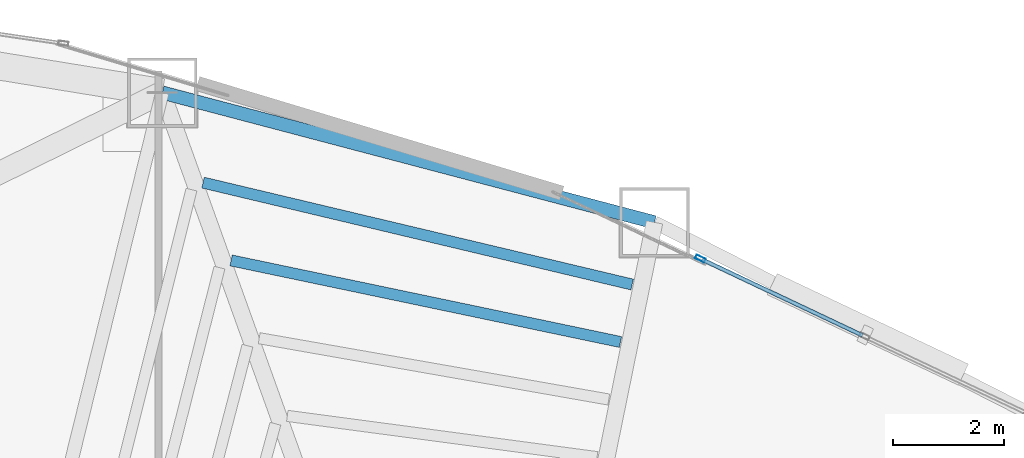
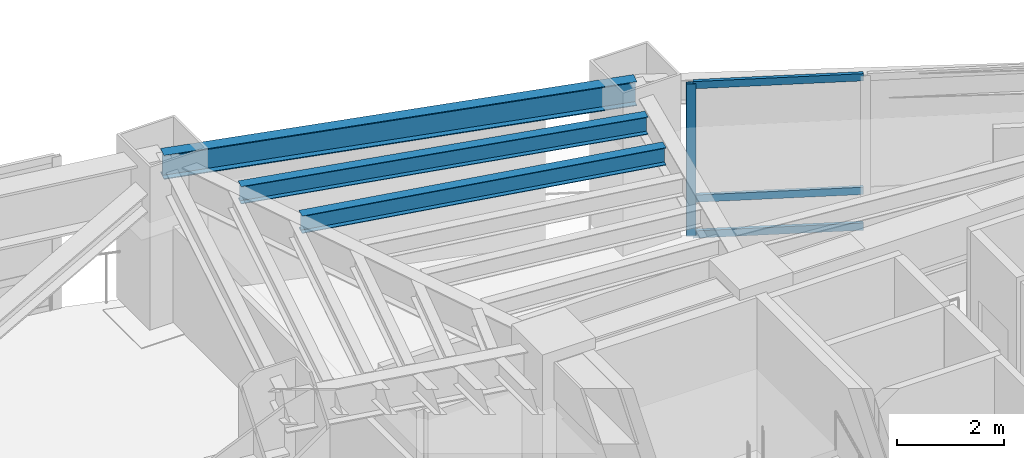
# One storey, part 15 of 23: 4 members, 3 beams, 1 element without a shape of its own.
"""IFC4 building model written with IfcOpenShell, lengths in metres."""

import ifcopenshell
import ifcopenshell.guid

model = None  # the IFC model being written
_history = None  # IfcOwnerHistory: only IFC2X3 demands one
_inside = {}  # id of a spatial element -> (the spatial element, [elements in it])
_under = {}  # id of a project, library or spatial element -> (it, [spatial elements below it])
_declared = {}  # id of a project -> (the project, [libraries it declares])
_typed = {}  # id of a type object -> (the type object, [elements of that type])
_made_of = {}  # id of a material, layer set ... -> (it, [elements and type objects made of it])


def new_model(schema):
    """Start an empty IFC model of exactly this schema.

    Asked for "IFC4X3", IfcOpenShell would pick the latest addendum, in which some entities
    have other attributes; the version numbers below select the first issue.
    IFC2X3 requires an IfcOwnerHistory on every rooted entity: one is made here for all.
    """
    global model, _history
    if schema == "IFC4X3":
        model = ifcopenshell.file(schema_version=(4, 3, 0, 0))
    else:
        model = ifcopenshell.file(schema=schema)
    _inside.clear()
    _under.clear()
    _declared.clear()
    _typed.clear()
    _made_of.clear()
    _history = None
    if model.schema == "IFC2X3":
        org = make("IfcOrganization", Name="unknown")
        user = make(
            "IfcPersonAndOrganization",
            ThePerson=make("IfcPerson", FamilyName="unknown"),
            TheOrganization=org,
        )
        app = make(
            "IfcApplication",
            ApplicationDeveloper=org,
            Version="unknown",
            ApplicationFullName="unknown",
            ApplicationIdentifier="unknown",
        )
        _history = make(
            "IfcOwnerHistory",
            OwningUser=user,
            OwningApplication=app,
            ChangeAction="ADDED",
            CreationDate=0,
        )
    return model


def make(cls, **values):
    """One entity of the class cls with the attributes given. An attribute that is None is left unset."""
    return model.create_entity(
        cls, **{name: value for name, value in values.items() if value is not None}
    )


def rooted(cls, **values):
    """An entity with a GlobalId (a new one), such as an element, a storey or a relation."""
    return make(cls, GlobalId=ifcopenshell.guid.new(), OwnerHistory=_history, **values)


def si_unit(unit_type, name, prefix=None):
    """IfcSIUnit, for example si_unit("LENGTHUNIT", "METRE", prefix="MILLI")."""
    return make("IfcSIUnit", UnitType=unit_type, Prefix=prefix, Name=name)


def assignment(units):
    """IfcUnitAssignment: the units of a project."""
    return None if units is None else make("IfcUnitAssignment", Units=units)


def point(xyz):
    """IfcCartesianPoint."""
    return None if xyz is None else make("IfcCartesianPoint", Coordinates=xyz)


def direction(xyz):
    """IfcDirection."""
    return None if xyz is None else make("IfcDirection", DirectionRatios=xyz)


def frame(location, z_axis=None, x_axis=None):
    """IfcAxis2Placement3D, a coordinate frame: its origin and axes. An axis left out is left unset."""
    return make(
        "IfcAxis2Placement3D",
        Location=point(location),
        Axis=direction(z_axis),
        RefDirection=direction(x_axis),
    )


def frame_2d(location, x_axis=None):
    """IfcAxis2Placement2D, a coordinate frame in the plane: its origin and x axis."""
    return make(
        "IfcAxis2Placement2D", Location=point(location), RefDirection=direction(x_axis)
    )


def origin():
    """The frame at (0, 0, 0) with its axes left unset."""
    return frame((0.0, 0.0, 0.0))


def origin_2d():
    """The frame at (0, 0) in the plane with its x axis left unset."""
    return frame_2d((0.0, 0.0))


def place(relative_to, where):
    """IfcLocalPlacement: puts the frame where relative to a parent placement (None: the world)."""
    return make(
        "IfcLocalPlacement", PlacementRelTo=relative_to, RelativePlacement=where
    )


def context(
    kind, dimensions, precision=None, world=None, true_north=None, identifier=None
):
    """IfcGeometricRepresentationContext, for example the 3D "Model" context."""
    return make(
        "IfcGeometricRepresentationContext",
        ContextIdentifier=identifier,
        ContextType=kind,
        CoordinateSpaceDimension=dimensions,
        Precision=precision,
        WorldCoordinateSystem=world,
        TrueNorth=true_north,
    )


def subcontext(parent, identifier, kind, view, scale=None):
    """IfcGeometricRepresentationSubContext, for example "Body" below "Model"."""
    return make(
        "IfcGeometricRepresentationSubContext",
        ContextIdentifier=identifier,
        ContextType=kind,
        ParentContext=parent,
        TargetScale=scale,
        TargetView=view,
    )


def project(units=None, contexts=None):
    """IfcProject with its units and contexts."""
    return rooted(
        "IfcProject",
        Name="project",
        RepresentationContexts=contexts,
        UnitsInContext=assignment(units),
    )


def spatial(cls, under=None, at=None, **own):
    """A site, building, storey or space (cls), placed at a placement, below another one or the project."""
    s = rooted(cls, ObjectPlacement=at, **own)
    if under is not None:
        _under.setdefault(under.id(), (under, []))[1].append(s)
    return s


def profile(cls, at=None, kind="AREA", **sizes):
    """A parametric profile (cls). Its sizes go by their IFC names, for example OverallWidth=200.0."""
    return make(cls, ProfileType=kind, Position=at, **sizes)


def hollow_rectangle(**sizes):
    """IfcRectangleHollowProfileDef."""
    return profile("IfcRectangleHollowProfileDef", **sizes)


def i_section(**sizes):
    """IfcIShapeProfileDef."""
    return profile("IfcIShapeProfileDef", **sizes)


def extrude(swept, where, along, depth):
    """IfcExtrudedAreaSolid: the profile swept, set in the frame where, extruded along a direction by depth."""
    return make(
        "IfcExtrudedAreaSolid",
        SweptArea=swept,
        Position=where,
        ExtrudedDirection=direction(along),
        Depth=depth,
    )


def shape(context_of_items, identifier, shape_type, items):
    """IfcShapeRepresentation: the items that make up one representation, for example the "Body"."""
    return make(
        "IfcShapeRepresentation",
        ContextOfItems=context_of_items,
        RepresentationIdentifier=identifier,
        RepresentationType=shape_type,
        Items=items,
    )


def material(Name=None, Category=None):
    """IfcMaterial."""
    return make("IfcMaterial", Name=Name, Category=Category)


def layer(
    of_material, thickness, ventilated=None, Name=None, Category=None, Priority=None
):
    """IfcMaterialLayer: one layer of a wall or slab, of a material (None: an air gap)."""
    return make(
        "IfcMaterialLayer",
        Material=of_material,
        LayerThickness=thickness,
        IsVentilated=ventilated,
        Name=Name,
        Category=Category,
        Priority=Priority,
    )


def layer_set(layers, Name=None):
    """IfcMaterialLayerSet."""
    return make("IfcMaterialLayerSet", MaterialLayers=layers, LayerSetName=Name)


def material_profile(
    of_material, cross_section, Name=None, Category=None, Priority=None
):
    """IfcMaterialProfile: a cross section and its material."""
    return make(
        "IfcMaterialProfile",
        Name=Name,
        Material=of_material,
        Profile=cross_section,
        Priority=Priority,
        Category=Category,
    )


def profile_set(profiles, Name=None, composite=None):
    """IfcMaterialProfileSet."""
    return make(
        "IfcMaterialProfileSet",
        Name=Name,
        MaterialProfiles=profiles,
        CompositeProfile=composite,
    )


def made_of(thing, what):
    """Note that an element or type object is made of a material, layer set ...; save() writes the relation."""
    if what is not None:
        _made_of.setdefault(what.id(), (what, []))[1].append(thing)
    return thing


def type_object(cls, material=None, **own):
    """A type object (cls), such as IfcWallType, which elements share."""
    return made_of(rooted(cls, **own), material)


def element(
    cls,
    number,
    at=None,
    inside=None,
    cuts=None,
    type_object=None,
    material=None,
    context=None,
    identifier="Body",
    shape_type=None,
    held_by="IfcProductDefinitionShape",
    body=None,
    shapes=None,
    **own,
):
    """One element of the class cls, such as IfcWall. Its Tag is "e" and its number.

    at: its placement. inside: the storey or other place that contains it. cuts: it is an
    opening in that element (IfcRelVoidsElement). A single representation is given by context,
    identifier, shape_type and body (its items); several are given by shapes. held_by: the class
    of the entity that holds the representations. save() writes the other relations.
    """
    e = rooted(cls, Tag="e%d" % number, ObjectPlacement=at, **own)
    if body is not None:
        shapes = [shape(context, identifier, shape_type, body)]
    if shapes is not None:
        e.Representation = make(held_by, Representations=shapes)
    if inside is not None:
        _inside.setdefault(inside.id(), (inside, []))[1].append(e)
    if cuts is not None:
        rooted(
            "IfcRelVoidsElement", RelatingBuildingElement=cuts, RelatedOpeningElement=e
        )
    if type_object is not None:
        _typed.setdefault(type_object.id(), (type_object, []))[1].append(e)
    return made_of(e, material)


def aggregate(whole, parts):
    """IfcRelAggregates: a whole, such as a stair, and the parts it consists of."""
    return rooted("IfcRelAggregates", RelatingObject=whole, RelatedObjects=parts)


def save(model, path):
    """Write the relations noted so far, then the file.

    IfcRelAggregates (storeys below a building ...), IfcRelContainedInSpatialStructure (elements
    in a storey), IfcRelDefinesByType, IfcRelAssociatesMaterial and IfcRelDeclares: one each for
    every whole, place, type object, material and project.
    """
    for whole, parts in _under.values():
        aggregate(whole, parts)
    for where, things in _inside.values():
        rooted(
            "IfcRelContainedInSpatialStructure",
            RelatedElements=things,
            RelatingStructure=where,
        )
    for kind, things in _typed.values():
        rooted("IfcRelDefinesByType", RelatedObjects=things, RelatingType=kind)
    for what, things in _made_of.values():
        rooted("IfcRelAssociatesMaterial", RelatedObjects=things, RelatingMaterial=what)
    for by, libraries in _declared.values():
        rooted("IfcRelDeclares", RelatingContext=by, RelatedDefinitions=libraries)
    model.write(path)


model = new_model("IFC4")

# Units and contexts
model_context = context("Model", 3, precision=1e-05, world=origin(), true_north=direction((0.0, 1.0)))
body_context = subcontext(model_context, "Body", "Model", "MODEL_VIEW")
ifc_project = project(units=[si_unit("LENGTHUNIT", "METRE"), si_unit("AREAUNIT", "SQUARE_METRE"), si_unit("VOLUMEUNIT", "CUBIC_METRE"), si_unit("PLANEANGLEUNIT", "RADIAN"), si_unit("MASSUNIT", "GRAM", prefix="KILO")], contexts=[model_context])

# Site, building, storey
site_placement = place(None, origin())
site = spatial("IfcSite", under=ifc_project, at=site_placement, CompositionType="ELEMENT")
building_placement = place(site_placement, origin())
building = spatial("IfcBuilding", under=site, at=building_placement, Name="Menara Vayukalpa", CompositionType="ELEMENT")
storey_placement = place(building_placement, frame((0.0, 0.0, 103.97998046875)))
storey = spatial("IfcBuildingStorey", under=building, at=storey_placement, Name="L25", CompositionType="ELEMENT", Elevation=103.97998046875)

# Beams
ifc_material_1 = material(Name="Steel S355", Category="steel")
ifc_material_profile_1 = material_profile(ifc_material_1, i_section(OverallWidth=0.199951171875, OverallDepth=0.39990234375, WebThickness=0.008056640625, FlangeThickness=0.012939453125, at=origin_2d()), Name="WF 400x200x8x13")
ifc_profile_set_1 = profile_set([ifc_material_profile_1], Name="Steel S355")
beam_type_1 = type_object("IfcBeamType", Name="BM-SJ2", PredefinedType="JOIST", material=ifc_profile_set_1)
beam_1_placement = place(storey_placement, frame((22.797119140625, 31.318603515625, 3.27001953125), z_axis=(-0.978749487369, 0.205059603471, 0.0), x_axis=(-0.205059603471, -0.978749487369, 0.0)))
element("IfcBeam", 1, at=beam_1_placement, inside=storey, type_object=beam_type_1, Name="L25 Secondary Floor Joist SJ03-4", PredefinedType="JOIST", context=body_context, shape_type="SweptSolid", body=[
    extrude(i_section(OverallWidth=0.199951171875, OverallDepth=0.39990234375, WebThickness=0.008056640625, FlangeThickness=0.012939453125, at=origin_2d()), origin(), (0.0, 0.0, 1.0), 7.1435546875),
])
beam_2_placement = place(storey_placement, frame((23.00732421875, 32.3505859375, 3.27001953125), z_axis=(-0.97293603101, 0.231074619036, 0.0), x_axis=(-0.231074619036, -0.97293603101, 0.0)))
element("IfcBeam", 2, at=beam_2_placement, inside=storey, type_object=beam_type_1, Name="L25 Secondary Floor Joist SJ03-5", PredefinedType="JOIST", context=body_context, shape_type="SweptSolid", body=[
    extrude(i_section(OverallWidth=0.199951171875, OverallDepth=0.39990234375, WebThickness=0.008056640625, FlangeThickness=0.012939453125, at=origin_2d()), origin(), (0.0, 0.0, 1.0), 7.9208984375),
])
ifc_material_2 = material(Name="Steel S355", Category="steel")
ifc_material_profile_2 = material_profile(ifc_material_2, i_section(OverallWidth=0.239990234375, OverallDepth=0.550048828125, WebThickness=0.010986328125, FlangeThickness=0.01904296875, at=origin_2d()), Name="WF 550x240x11x19")
ifc_profile_set_2 = profile_set([ifc_material_profile_2], Name="Steel S355")
beam_type_2 = type_object("IfcBeamType", Name="BM-SP2", PredefinedType="SPANDREL", material=ifc_profile_set_2)
beam_3_placement = place(storey_placement, frame((23.408203125, 33.46728515625, 3.195068359375), z_axis=(-0.966966857313, 0.254902131921, 0.0), x_axis=(-0.254902131921, -0.966966857313, 0.0)))
element("IfcBeam", 3, at=beam_3_placement, inside=storey, type_object=beam_type_2, Name="L25 Perimeter Spandrel Beam SP03", PredefinedType="SPANDREL", context=body_context, shape_type="SweptSolid", body=[
    extrude(i_section(OverallWidth=0.239990234375, OverallDepth=0.550048828125, WebThickness=0.010986328125, FlangeThickness=0.01904296875, at=origin_2d()), origin(), (0.0, 0.0, 1.0), 9.14111328125),
])

# Curtain wall, members
ifc_material_3 = material(Name="Anodised Terracotta Aluminium Alloy 6063-T6", Category="masonry")
ifc_layer = layer(ifc_material_3, 0.179931640625)
ifc_layer_set = layer_set([ifc_layer], Name="Anodised Terracotta Aluminium Alloy 6063-T6")
curtain_wall_type = type_object("IfcCurtainWallType", Name="CW-CW4", PredefinedType="USERDEFINED", material=ifc_layer_set)
curtain_wall_placement = place(storey_placement, origin())
curtain_wall = element("IfcCurtainWall", 4, at=curtain_wall_placement, inside=storey, type_object=curtain_wall_type, Name="L25 Sky Bar Cantilever Glazed Curtain Wall CW4 05", ObjectType="UNITISED", PredefinedType="USERDEFINED")
ifc_material_4 = material(Name="Anodised Terracotta Aluminium Alloy 6063-T6", Category="masonry")
ifc_material_profile_3 = material_profile(ifc_material_4, hollow_rectangle(XDim=0.074951171875, YDim=0.179931640625, WallThickness=0.00390625, at=origin_2d()), Name="ALU 75x180x4")
ifc_profile_set_3 = profile_set([ifc_material_profile_3], Name="Anodised Terracotta Aluminium Alloy 6063-T6")
member_type_1 = type_object("IfcMemberType", Name="CWM-CW4", PredefinedType="MULLION", material=ifc_profile_set_3)
member_1_placement = place(storey_placement, frame((24.230712890625, 32.815185546875, 0.0), z_axis=(0.0, 0.0, 1.0), x_axis=(-0.427870715016, -0.903839947796, 0.0)))
member_1 = element("IfcMember", 5, at=member_1_placement, type_object=member_type_1, Name="CW4 mullion 3", PredefinedType="MULLION", context=body_context, shape_type="SweptSolid", body=[
    extrude(hollow_rectangle(XDim=0.074951171875, YDim=0.179931640625, WallThickness=0.00390625, at=origin_2d()), origin(), (0.0, 0.0, 1.0), 3.469970703125),
])
ifc_material_5 = material(Name="Anodised Terracotta Aluminium Alloy 6063-T6", Category="masonry")
ifc_material_profile_4 = material_profile(ifc_material_5, hollow_rectangle(XDim=0.070068359375, YDim=0.1650390625, WallThickness=0.00390625, at=origin_2d()), Name="ALU 70x165x4")
ifc_profile_set_4 = profile_set([ifc_material_profile_4], Name="Anodised Terracotta Aluminium Alloy 6063-T6")
member_type_2 = type_object("IfcMemberType", Name="CWT-CW4", PredefinedType="USERDEFINED", material=ifc_profile_set_4)
member_2_placement = place(storey_placement, frame((27.14501953125, 31.435546875, 0.034912109375), z_axis=(-0.903842327128, 0.427865688846, 0.0), x_axis=(-0.427865688846, -0.903842327128, 0.0)))
member_2 = element("IfcMember", 6, at=member_2_placement, type_object=member_type_2, Name="CW4 transom 2.1", ObjectType="TRANSOM", PredefinedType="USERDEFINED", context=body_context, shape_type="SweptSolid", body=[
    extrude(hollow_rectangle(XDim=0.070068359375, YDim=0.1650390625, WallThickness=0.00390625, at=origin_2d()), origin(), (0.0, 0.0, 1.0), 3.186767578125),
])
member_3_placement = place(storey_placement, frame((27.14501953125, 31.435546875, 0.85009765625), z_axis=(-0.903842327128, 0.427865688846, 0.0), x_axis=(-0.427865688846, -0.903842327128, 0.0)))
member_3 = element("IfcMember", 7, at=member_3_placement, type_object=member_type_2, Name="CW4 transom 2.2", ObjectType="TRANSOM", PredefinedType="USERDEFINED", context=body_context, shape_type="SweptSolid", body=[
    extrude(hollow_rectangle(XDim=0.070068359375, YDim=0.1650390625, WallThickness=0.00390625, at=origin_2d()), origin(), (0.0, 0.0, 1.0), 3.186767578125),
])
member_4_placement = place(storey_placement, frame((27.14501953125, 31.435546875, 3.43505859375), z_axis=(-0.903842327128, 0.427865688846, 0.0), x_axis=(-0.427865688846, -0.903842327128, 0.0)))
member_4 = element("IfcMember", 8, at=member_4_placement, type_object=member_type_2, Name="CW4 transom 2.3", ObjectType="TRANSOM", PredefinedType="USERDEFINED", context=body_context, shape_type="SweptSolid", body=[
    extrude(hollow_rectangle(XDim=0.070068359375, YDim=0.1650390625, WallThickness=0.00390625, at=origin_2d()), origin(), (0.0, 0.0, 1.0), 3.186767578125),
])
aggregate(curtain_wall, [member_1, member_2, member_3, member_4])

save(model, "model.ifc")
